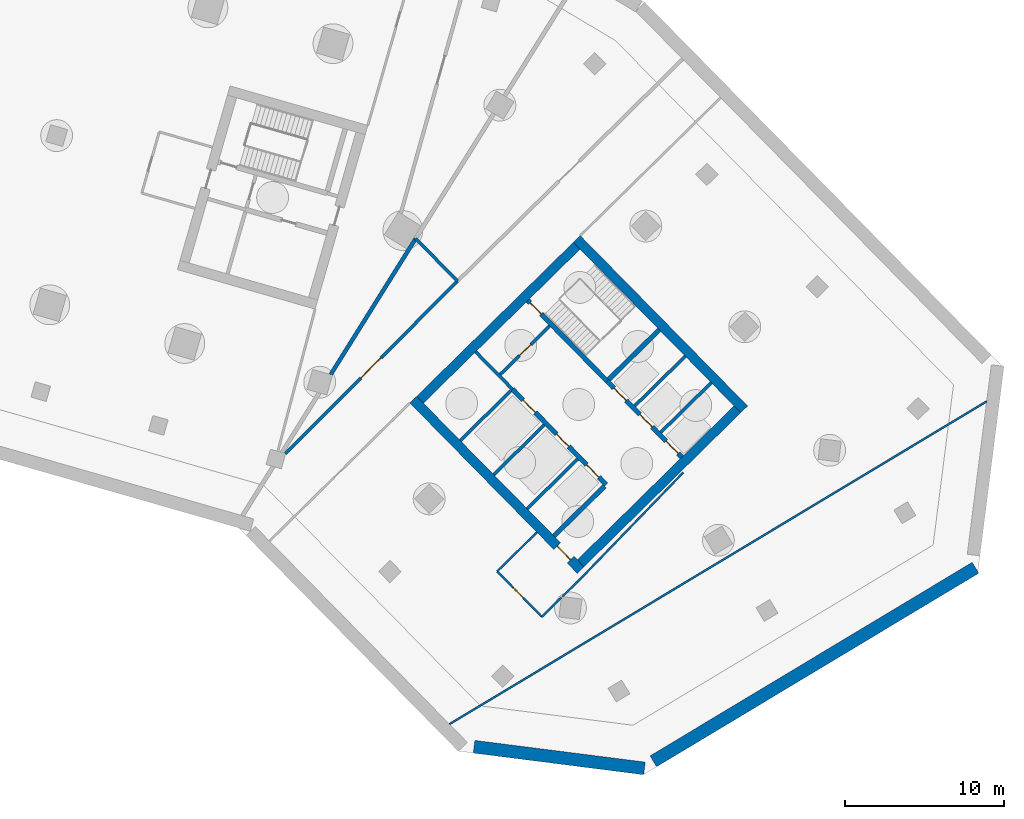
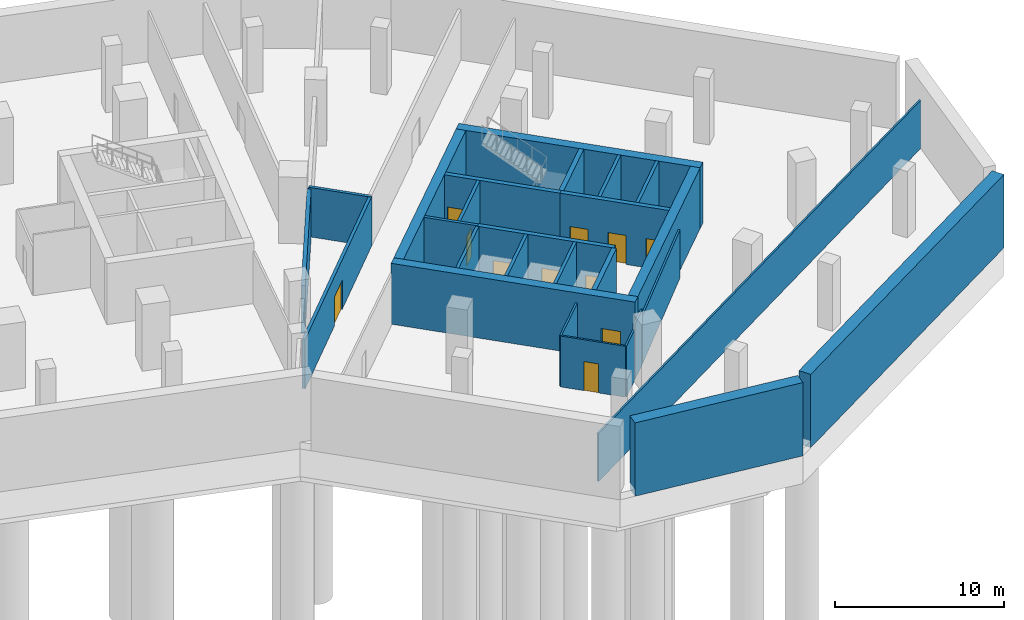
# One storey, part 6 of 11: 27 walls, 11 doors, 11 openings.
"""IFC4 building model written with IfcOpenShell, lengths in metres."""

from ifc_helpers import new_model, si_unit, direction, frame, frame_2d, origin, place, context, subcontext, project, spatial, rectangle, extrude, material, layer, layer_set, type_object, element, fill, save


model = new_model("IFC4")

# Units and contexts
model_context = context("Model", 3, precision=1e-05, world=origin(), true_north=direction((0.0, 1.0)))
body_context = subcontext(model_context, "Body", "Model", "MODEL_VIEW")
ifc_project = project(units=[si_unit("LENGTHUNIT", "METRE"), si_unit("AREAUNIT", "SQUARE_METRE"), si_unit("VOLUMEUNIT", "CUBIC_METRE"), si_unit("PLANEANGLEUNIT", "RADIAN"), si_unit("MASSUNIT", "GRAM", prefix="KILO")], contexts=[model_context])

# Site, building, storey
site_placement = place(None, origin())
site = spatial("IfcSite", under=ifc_project, at=site_placement, CompositionType="ELEMENT")
building_placement = place(site_placement, origin())
building = spatial("IfcBuilding", under=site, at=building_placement, Name="Binnacle Exchange Tower", CompositionType="ELEMENT")
storey_placement = place(building_placement, frame((0.0, 0.0, -9.60009765625)))
storey = spatial("IfcBuildingStorey", under=building, at=storey_placement, Name="B2", CompositionType="ELEMENT", Elevation=-9.60009765625)

# Walls
ifc_material_1 = material(Name="Concrete C40/50", Category="concrete")
ifc_layer_1 = layer(ifc_material_1, 0.800048828125)
ifc_layer_set_1 = layer_set([ifc_layer_1], Name="Basement retaining wall 800 Concrete C40/50")
wall_type_1 = type_object("IfcWallType", Name="Basement retaining wall 800 Concrete C40/50", PredefinedType="SOLIDWALL", material=ifc_layer_set_1)
wall_1_placement = place(storey_placement, frame((35.465576171875, 18.959228515625, -0.5), z_axis=(0.0, 0.0, 1.0), x_axis=(0.992004249918, -0.126204469587, 0.0)))
element("IfcWall", 1, at=wall_1_placement, inside=storey, type_object=wall_type_1, Name="S:RW:B2:11", PredefinedType="SOLIDWALL", context=body_context, shape_type="SweptSolid", body=[
    extrude(rectangle(XDim=10.78662109375, YDim=0.800048828125, at=frame_2d((5.393310546875, 0.0))), origin(), (0.0, 0.0, 1.0), 5.300048828125),
])
wall_2_placement = place(storey_placement, frame((46.724365234375, 18.041748046875, -0.5), z_axis=(0.0, 0.0, 1.0), x_axis=(0.857166937036, 0.515038680151, 0.0)))
element("IfcWall", 2, at=wall_2_placement, inside=storey, type_object=wall_type_1, Name="S:RW:B2:12", PredefinedType="SOLIDWALL", context=body_context, shape_type="SweptSolid", body=[
    extrude(rectangle(XDim=23.603515625, YDim=0.800048828125, at=frame_2d((11.8017578125, 0.0))), origin(), (0.0, 0.0, 1.0), 5.300048828125),
])

# Wall, openings, doors
ifc_material_2 = material(Name="Concrete C70/85", Category="concrete")
ifc_layer_2 = layer(ifc_material_2, 0.300048828125)
ifc_layer_set_2 = layer_set([ifc_layer_2], Name="Core wall - front 300")
wall_type_2 = type_object("IfcWallType", Name="Core wall - front 300", PredefinedType="SOLIDWALL", material=ifc_layer_set_2)
wall_3_placement = place(storey_placement, frame((37.8740234375, 41.41552734375, 0.0), z_axis=(0.0, 0.0, 1.0), x_axis=(0.700918271237, -0.71324159795, 0.0)))
wall_3 = element("IfcWall", 3, at=wall_3_placement, inside=storey, type_object=wall_type_2, Name="Core wall CRWB3", PredefinedType="SOLIDWALL", context=body_context, shape_type="SweptSolid", body=[
    extrude(rectangle(XDim=8.39990234375, YDim=0.300048828125, at=frame_2d((4.199951171875, 0.0))), origin(), (0.0, 0.0, 1.0), 4.400146484375),
])
opening_1_placement = place(wall_3_placement, frame((0.949951171875, 0.0, 0.0)))
opening_1 = element("IfcOpeningElement", 4, at=opening_1_placement, cuts=wall_3, Name="Opening LD15", PredefinedType="OPENING", context=body_context, shape_type="SweptSolid", body=[
    extrude(rectangle(XDim=1.10009765625, YDim=2.10009765625, at=frame_2d((0.550048828125, 1.050048828125))), frame((0.0, 0.159912109375, 0.0), z_axis=(0.0, -1.0, 0.0), x_axis=(1.0, 0.0, 0.0)), (0.0, 0.0, 1.0), 0.320068359375),
])
opening_2_placement = place(wall_3_placement, frame((3.949951171875, 0.0, 0.0)))
opening_2 = element("IfcOpeningElement", 5, at=opening_2_placement, cuts=wall_3, Name="Opening LD16", PredefinedType="OPENING", context=body_context, shape_type="SweptSolid", body=[
    extrude(rectangle(XDim=1.10009765625, YDim=2.10009765625, at=frame_2d((0.550048828125, 1.050048828125))), frame((0.0, 0.159912109375, 0.0), z_axis=(0.0, -1.0, 0.0), x_axis=(1.0, 0.0, 0.0)), (0.0, 0.0, 1.0), 0.320068359375),
])
opening_3_placement = place(wall_3_placement, frame((6.64990234375, 0.0, 0.0)))
opening_3 = element("IfcOpeningElement", 6, at=opening_3_placement, cuts=wall_3, Name="Opening LD4", PredefinedType="OPENING", context=body_context, shape_type="SweptSolid", body=[
    extrude(rectangle(XDim=1.10009765625, YDim=2.10009765625, at=frame_2d((0.550048828125, 1.050048828125))), frame((0.0, 0.159912109375, 0.0), z_axis=(0.0, -1.0, 0.0), x_axis=(1.0, 0.0, 0.0)), (0.0, 0.0, 1.0), 0.320068359375),
])
ifc_material_3 = material(Name="Steel door leaf", Category="steel")
door_type_1 = type_object("IfcDoorType", Name="Fire door - lift landing 1100", OperationType="NOTDEFINED", PredefinedType="DOOR", material=ifc_material_3)
door_1_placement = place(opening_1_placement, origin())
door_1 = element("IfcDoor", 7, at=door_1_placement, inside=storey, type_object=door_type_1, Name="Landing door LD15 B2", OperationType="DOUBLE_DOOR_SLIDING", OverallHeight=2.10009765625, OverallWidth=1.10009765625, PredefinedType="DOOR", context=body_context, shape_type="SweptSolid", body=[
    extrude(rectangle(XDim=1.10009765625, YDim=2.10009765625, at=frame_2d((0.550048828125, 1.050048828125))), frame((0.0, 0.02490234375, 0.0), z_axis=(0.0, -1.0, 0.0), x_axis=(1.0, 0.0, 0.0)), (0.0, 0.0, 1.0), 0.050048828125),
])
fill(opening_1, door_1)
door_2_placement = place(opening_2_placement, origin())
door_2 = element("IfcDoor", 8, at=door_2_placement, inside=storey, type_object=door_type_1, Name="Landing door LD16 B2", OperationType="DOUBLE_DOOR_SLIDING", OverallHeight=2.10009765625, OverallWidth=1.10009765625, PredefinedType="DOOR", context=body_context, shape_type="SweptSolid", body=[
    extrude(rectangle(XDim=1.10009765625, YDim=2.10009765625, at=frame_2d((0.550048828125, 1.050048828125))), frame((0.0, 0.02490234375, 0.0), z_axis=(0.0, -1.0, 0.0), x_axis=(1.0, 0.0, 0.0)), (0.0, 0.0, 1.0), 0.050048828125),
])
fill(opening_2, door_2)
door_3_placement = place(opening_3_placement, origin())
door_3 = element("IfcDoor", 9, at=door_3_placement, inside=storey, type_object=door_type_1, Name="Landing door LD4 B2", OperationType="DOUBLE_DOOR_SLIDING", OverallHeight=2.10009765625, OverallWidth=1.10009765625, PredefinedType="DOOR", context=body_context, shape_type="SweptSolid", body=[
    extrude(rectangle(XDim=1.10009765625, YDim=2.10009765625, at=frame_2d((0.550048828125, 1.050048828125))), frame((0.0, 0.02490234375, 0.0), z_axis=(0.0, -1.0, 0.0), x_axis=(1.0, 0.0, 0.0)), (0.0, 0.0, 1.0), 0.050048828125),
])
fill(opening_3, door_3)

wall_4_placement = place(storey_placement, frame((43.818603515625, 41.92919921875, 0.0), z_axis=(0.0, 0.0, 1.0), x_axis=(0.700921619155, -0.713238307862, 0.0)))
wall_4 = element("IfcWall", 10, at=wall_4_placement, inside=storey, type_object=wall_type_2, Name="Core wall CRWB5", PredefinedType="SOLIDWALL", context=body_context, shape_type="SweptSolid", body=[
    extrude(rectangle(XDim=6.69970703125, YDim=0.300048828125, at=frame_2d((3.349853515625, 0.0))), origin(), (0.0, 0.0, 1.0), 4.400146484375),
])
opening_4_placement = place(wall_4_placement, frame((0.614990234375, 0.0, 0.0)))
opening_4 = element("IfcOpeningElement", 11, at=opening_4_placement, cuts=wall_4, Name="Opening LD1", PredefinedType="OPENING", context=body_context, shape_type="SweptSolid", body=[
    extrude(rectangle(XDim=1.10009765625, YDim=2.10009765625, at=frame_2d((0.550048828125, 1.050048828125))), frame((0.0, 0.159912109375, 0.0), z_axis=(0.0, -1.0, 0.0), x_axis=(1.0, 0.0, 0.0)), (0.0, 0.0, 1.0), 0.320068359375),
])
opening_5_placement = place(wall_4_placement, frame((2.945068359375, 0.0, 0.0)))
opening_5 = element("IfcOpeningElement", 12, at=opening_5_placement, cuts=wall_4, Name="Opening LD2", PredefinedType="OPENING", context=body_context, shape_type="SweptSolid", body=[
    extrude(rectangle(XDim=1.10009765625, YDim=2.10009765625, at=frame_2d((0.550048828125, 1.050048828125))), frame((0.0, 0.159912109375, 0.0), z_axis=(0.0, -1.0, 0.0), x_axis=(1.0, 0.0, 0.0)), (0.0, 0.0, 1.0), 0.320068359375),
])
opening_6_placement = place(wall_4_placement, frame((5.280029296875, 0.0, 0.0)))
opening_6 = element("IfcOpeningElement", 13, at=opening_6_placement, cuts=wall_4, Name="Opening LD3", PredefinedType="OPENING", context=body_context, shape_type="SweptSolid", body=[
    extrude(rectangle(XDim=1.10009765625, YDim=2.10009765625, at=frame_2d((0.550048828125, 1.050048828125))), frame((0.0, 0.159912109375, 0.0), z_axis=(0.0, -1.0, 0.0), x_axis=(1.0, 0.0, 0.0)), (0.0, 0.0, 1.0), 0.320068359375),
])
door_4_placement = place(opening_4_placement, origin())
door_4 = element("IfcDoor", 14, at=door_4_placement, inside=storey, type_object=door_type_1, Name="Landing door LD1 B2", OperationType="DOUBLE_DOOR_SLIDING", OverallHeight=2.10009765625, OverallWidth=1.10009765625, PredefinedType="DOOR", context=body_context, shape_type="SweptSolid", body=[
    extrude(rectangle(XDim=1.10009765625, YDim=2.10009765625, at=frame_2d((0.550048828125, 1.050048828125))), frame((0.0, 0.02490234375, 0.0), z_axis=(0.0, -1.0, 0.0), x_axis=(1.0, 0.0, 0.0)), (0.0, 0.0, 1.0), 0.050048828125),
])
fill(opening_4, door_4)
door_5_placement = place(opening_5_placement, origin())
door_5 = element("IfcDoor", 15, at=door_5_placement, inside=storey, type_object=door_type_1, Name="Landing door LD2 B2", OperationType="DOUBLE_DOOR_SLIDING", OverallHeight=2.10009765625, OverallWidth=1.10009765625, PredefinedType="DOOR", context=body_context, shape_type="SweptSolid", body=[
    extrude(rectangle(XDim=1.10009765625, YDim=2.10009765625, at=frame_2d((0.550048828125, 1.050048828125))), frame((0.0, 0.02490234375, 0.0), z_axis=(0.0, -1.0, 0.0), x_axis=(1.0, 0.0, 0.0)), (0.0, 0.0, 1.0), 0.050048828125),
])
fill(opening_5, door_5)
door_6_placement = place(opening_6_placement, origin())
door_6 = element("IfcDoor", 16, at=door_6_placement, inside=storey, type_object=door_type_1, Name="Landing door LD3 B2", OperationType="DOUBLE_DOOR_SLIDING", OverallHeight=2.10009765625, OverallWidth=1.10009765625, PredefinedType="DOOR", context=body_context, shape_type="SweptSolid", body=[
    extrude(rectangle(XDim=1.10009765625, YDim=2.10009765625, at=frame_2d((0.550048828125, 1.050048828125))), frame((0.0, 0.02490234375, 0.0), z_axis=(0.0, -1.0, 0.0), x_axis=(1.0, 0.0, 0.0)), (0.0, 0.0, 1.0), 0.050048828125),
])
fill(opening_6, door_6)

# Wall
wall_5_placement = place(storey_placement, frame((40.480712890625, 32.199951171875, 0.0), z_axis=(0.0, 0.0, 1.0), x_axis=(0.713251741427, 0.700907949271, 0.0)))
element("IfcWall", 17, at=wall_5_placement, inside=storey, type_object=wall_type_2, Name="Core wall CRWB14", PredefinedType="SOLIDWALL", context=body_context, shape_type="SweptSolid", body=[
    extrude(rectangle(XDim=4.4501953125, YDim=0.300048828125, at=frame_2d((2.22509765625, 0.0))), origin(), (0.0, 0.0, 1.0), 4.400146484375),
])

# Wall, opening, door
ifc_layer_3 = layer(ifc_material_2, 0.60009765625)
ifc_layer_set_3 = layer_set([ifc_layer_3], Name="Core wall - outer 600")
wall_type_3 = type_object("IfcWallType", Name="Core wall - outer 600", PredefinedType="SOLIDWALL", material=ifc_layer_set_3)
wall_6_placement = place(storey_placement, frame((31.6455078125, 40.7626953125, 0.0), z_axis=(0.0, 0.0, 1.0), x_axis=(0.700911255944, -0.713248491965, 0.0)))
wall_6 = element("IfcWall", 18, at=wall_6_placement, inside=storey, type_object=wall_type_3, Name="Core wall CRWB1", PredefinedType="SOLIDWALL", context=body_context, shape_type="SweptSolid", body=[
    extrude(rectangle(XDim=15.0, YDim=0.60009765625, at=frame_2d((7.5, 0.0))), origin(), (0.0, 0.0, 1.0), 4.400146484375),
])
opening_7_placement = place(wall_6_placement, frame((12.89990234375, 0.0, 0.0)))
opening_7 = element("IfcOpeningElement", 19, at=opening_7_placement, cuts=wall_6, Name="Opening DB7", PredefinedType="OPENING", context=body_context, shape_type="SweptSolid", body=[
    extrude(rectangle(XDim=1.199951171875, YDim=2.10009765625, at=frame_2d((0.60009765625, 1.050048828125))), frame((0.0, 0.31005859375, 0.0), z_axis=(0.0, -1.0, 0.0), x_axis=(1.0, 0.0, 0.0)), (0.0, 0.0, 1.0), 0.6201171875),
])
door_type_2 = type_object("IfcDoorType", Name="Fire door 1200", OperationType="NOTDEFINED", PredefinedType="DOOR", material=ifc_material_3)
door_7_placement = place(opening_7_placement, frame((1.199951171875, 0.0, 0.0), z_axis=(0.0, 0.0, 1.0), x_axis=(-1.0, 0.0, 0.0)))
door_7 = element("IfcDoor", 20, at=door_7_placement, inside=storey, type_object=door_type_2, Name="Lift lobby entrance door core B", OperationType="SINGLE_SWING_LEFT", OverallHeight=2.10009765625, OverallWidth=1.199951171875, PredefinedType="DOOR", context=body_context, shape_type="SweptSolid", body=[
    extrude(rectangle(XDim=1.199951171875, YDim=2.10009765625, at=frame_2d((0.60009765625, 1.050048828125))), frame((0.0, 0.02490234375, 0.0), z_axis=(0.0, -1.0, 0.0), x_axis=(1.0, 0.0, 0.0)), (0.0, 0.0, 1.0), 0.050048828125),
])
fill(opening_7, door_7)

# Walls
wall_7_placement = place(storey_placement, frame((41.91650390625, 50.855712890625, 0.0), z_axis=(0.0, 0.0, 1.0), x_axis=(0.700911255944, -0.713248491965, 0.0)))
element("IfcWall", 21, at=wall_7_placement, inside=storey, type_object=wall_type_3, Name="Core wall CRWB6", PredefinedType="SOLIDWALL", context=body_context, shape_type="SweptSolid", body=[
    extrude(rectangle(XDim=15.0, YDim=0.60009765625, at=frame_2d((7.5, 0.0))), origin(), (0.0, 0.0, 1.0), 4.400146484375),
])
for number, where, z_axis, x_axis, name in (
    (22, (32.06982421875, 40.759033203125, 0.0), (0.0, 0.0, 1.0), (0.713245344712, 0.70091445858, 0.0), "Core wall CRWB7"),
    (23, (42.1630859375, 30.48828125, 0.0), (0.0, 0.0, 1.0), (0.713245344712, 0.70091445858, 0.0), "Core wall CRWB16"),
):
    element("IfcWall", number, at=place(storey_placement, frame(where, z_axis=z_axis, x_axis=x_axis)), inside=storey, type_object=wall_type_3, Name=name, PredefinedType="SOLIDWALL", context=body_context, shape_type="SweptSolid", body=[
        extrude(rectangle(XDim=13.800048828125, YDim=0.60009765625, at=frame_2d((6.89990234375, 0.0))), origin(), (0.0, 0.0, 1.0), 4.400146484375),
    ])

# Wall, opening, door
ifc_layer_4 = layer(ifc_material_2, 0.300048828125)
ifc_layer_set_4 = layer_set([ifc_layer_4], Name="Core wall - stair 300")
wall_type_4 = type_object("IfcWallType", Name="Core wall - stair 300", PredefinedType="SOLIDWALL", material=ifc_layer_set_4)
wall_8_placement = place(storey_placement, frame((38.842041015625, 46.993408203125, 0.0), z_axis=(0.0, 0.0, 1.0), x_axis=(0.700907701701, -0.713251984713, 0.0)))
wall_8 = element("IfcWall", 24, at=wall_8_placement, inside=storey, type_object=wall_type_4, Name="Core wall CRWB4", PredefinedType="SOLIDWALL", context=body_context, shape_type="SweptSolid", body=[
    extrude(rectangle(XDim=7.10009765625, YDim=0.300048828125, at=frame_2d((3.550048828125, 0.0))), origin(), (0.0, 0.0, 1.0), 4.400146484375),
])
opening_8_placement = place(wall_8_placement, frame((0.199951171875, 0.0, 0.0)))
opening_8 = element("IfcOpeningElement", 25, at=opening_8_placement, cuts=wall_8, Name="Opening DB1", PredefinedType="OPENING", context=body_context, shape_type="SweptSolid", body=[
    extrude(rectangle(XDim=1.0, YDim=2.10009765625, at=frame_2d((0.5, 1.050048828125))), frame((0.0, 0.159912109375, 0.0), z_axis=(0.0, -1.0, 0.0), x_axis=(1.0, 0.0, 0.0)), (0.0, 0.0, 1.0), 0.320068359375),
])
door_type_3 = type_object("IfcDoorType", Name="Fire door 1000", OperationType="NOTDEFINED", PredefinedType="DOOR", material=ifc_material_3)
door_8_placement = place(opening_8_placement, origin())
door_8 = element("IfcDoor", 26, at=door_8_placement, inside=storey, type_object=door_type_3, Name="Stair door ST-B1", OperationType="SINGLE_SWING_LEFT", OverallHeight=2.10009765625, OverallWidth=1.0, PredefinedType="DOOR", context=body_context, shape_type="SweptSolid", body=[
    extrude(rectangle(XDim=1.0, YDim=2.10009765625, at=frame_2d((0.5, 1.050048828125))), frame((0.0, 0.02490234375, 0.0), z_axis=(0.0, -1.0, 0.0), x_axis=(1.0, 0.0, 0.0)), (0.0, 0.0, 1.0), 0.050048828125),
])
fill(opening_8, door_8)

# Wall
wall_9_placement = place(storey_placement, frame((43.925537109375, 42.034423828125, 0.0), z_axis=(0.0, 0.0, 1.0), x_axis=(0.713251741427, 0.700907949271, 0.0)))
element("IfcWall", 27, at=wall_9_placement, inside=storey, type_object=wall_type_4, Name="Core wall CRWB11", PredefinedType="SOLIDWALL", context=body_context, shape_type="SweptSolid", body=[
    extrude(rectangle(XDim=4.4501953125, YDim=0.300048828125, at=frame_2d((2.22509765625, 0.0))), origin(), (0.0, 0.0, 1.0), 4.400146484375),
])

# Wall, opening, door
ifc_material_4 = material(Name="Masonry block wall", Category="masonry")
ifc_layer_5 = layer(ifc_material_4, 0.199951171875)
ifc_layer_set_5 = layer_set([ifc_layer_5], Name="Fire wall - block 200")
wall_type_5 = type_object("IfcWallType", Name="Fire wall - block 200", PredefinedType="PARTITIONING", material=ifc_layer_set_5)
wall_10_placement = place(storey_placement, frame((23.617919921875, 37.37890625, 0.0), z_axis=(0.0, 0.0, 1.0), x_axis=(0.706356332605, 0.707856434165, 0.0)))
wall_10 = element("IfcWall", 28, at=wall_10_placement, inside=storey, type_object=wall_type_5, Name="Partition W40", PredefinedType="PARTITIONING", context=body_context, shape_type="SweptSolid", body=[
    extrude(rectangle(XDim=15.29833984375, YDim=0.199951171875, at=frame_2d((7.649169921875, 0.0))), origin(), (0.0, 0.0, 1.0), 3.572021484375),
])
opening_9_placement = place(wall_10_placement, frame((6.699951171875, 0.0, 0.0)))
opening_9 = element("IfcOpeningElement", 29, at=opening_9_placement, cuts=wall_10, Name="Opening DB2-15", PredefinedType="OPENING", context=body_context, shape_type="SweptSolid", body=[
    extrude(rectangle(XDim=1.800048828125, YDim=2.10009765625, at=frame_2d((0.89990234375, 1.050048828125))), frame((0.0, 0.10986328125, 0.0), z_axis=(0.0, -1.0, 0.0), x_axis=(1.0, 0.0, 0.0)), (0.0, 0.0, 1.0), 0.219970703125),
])
door_type_4 = type_object("IfcDoorType", Name="Fire door 1800", OperationType="NOTDEFINED", PredefinedType="DOOR", material=ifc_material_3)
door_9_placement = place(opening_9_placement, origin())
door_9 = element("IfcDoor", 30, at=door_9_placement, inside=storey, type_object=door_type_4, Name="Door DB2-15", OperationType="DOUBLE_DOOR_SINGLE_SWING", OverallHeight=2.10009765625, OverallWidth=1.800048828125, PredefinedType="DOOR", context=body_context, shape_type="SweptSolid", body=[
    extrude(rectangle(XDim=1.800048828125, YDim=2.10009765625, at=frame_2d((0.89990234375, 1.050048828125))), frame((0.0, 0.02490234375, 0.0), z_axis=(0.0, -1.0, 0.0), x_axis=(1.0, 0.0, 0.0)), (0.0, 0.0, 1.0), 0.050048828125),
])
fill(opening_9, door_9)

# Walls
wall_11_placement = place(storey_placement, frame((31.794921875, 50.883056640625, 0.0), z_axis=(0.0, 0.0, 1.0), x_axis=(0.700961783082, -0.713198835289, 0.0)))
element("IfcWall", 31, at=wall_11_placement, inside=storey, type_object=wall_type_5, Name="Partition W44", PredefinedType="PARTITIONING", context=body_context, shape_type="SweptSolid", body=[
    extrude(rectangle(XDim=3.750732421875, YDim=0.199951171875, at=frame_2d((1.87548828125, 0.0))), origin(), (0.0, 0.0, 1.0), 3.572021484375),
])
ifc_material_5 = material(Name="Concrete fire wall C30/37", Category="concrete")
ifc_layer_6 = layer(ifc_material_5, 0.25)
ifc_layer_set_6 = layer_set([ifc_layer_6], Name="Fire wall - compartment 250")
wall_type_6 = type_object("IfcWallType", Name="Fire wall - compartment 250", PredefinedType="PARTITIONING", material=ifc_layer_set_6)
wall_12_placement = place(storey_placement, frame((26.4560546875, 42.337890625, 0.0), z_axis=(0.0, 0.0, 1.0), x_axis=(0.529866075757, 0.848081329686, 0.0)))
element("IfcWall", 32, at=wall_12_placement, inside=storey, type_object=wall_type_6, Name="Fire Wall W41", PredefinedType="PARTITIONING", context=body_context, shape_type="SweptSolid", body=[
    extrude(rectangle(XDim=10.075927734375, YDim=0.25, at=frame_2d((5.0380859375, 0.0))), origin(), (0.0, 0.0, 1.0), 3.462158203125),
])

# Wall, opening, door
ifc_layer_7 = layer(ifc_material_4, 0.199951171875)
ifc_layer_set_7 = layer_set([ifc_layer_7], Name="Fire wall - vestibule 200")
wall_type_7 = type_object("IfcWallType", Name="Fire wall - vestibule 200", PredefinedType="PARTITIONING", material=ifc_layer_set_7)
wall_13_placement = place(storey_placement, frame((37.104248046875, 42.341552734375, 0.0), z_axis=(0.0, 0.0, 1.0), x_axis=(0.713281298468, 0.700877870428, 0.0)))
wall_13 = element("IfcWall", 33, at=wall_13_placement, inside=storey, type_object=wall_type_7, Name="Core wall CRWB8", PredefinedType="PARTITIONING", context=body_context, shape_type="SweptSolid", body=[
    extrude(rectangle(XDim=4.35009765625, YDim=0.199951171875, at=frame_2d((2.175048828125, 0.0))), origin(), (0.0, 0.0, 1.0), 4.400146484375),
])
opening_10_placement = place(wall_13_placement, frame((1.699951171875, 0.0, 0.0)))
opening_10 = element("IfcOpeningElement", 34, at=opening_10_placement, cuts=wall_13, Name="Opening DB3", PredefinedType="OPENING", context=body_context, shape_type="SweptSolid", body=[
    extrude(rectangle(XDim=1.0, YDim=2.10009765625, at=frame_2d((0.5, 1.050048828125))), frame((0.0, 0.10986328125, 0.0), z_axis=(0.0, -1.0, 0.0), x_axis=(1.0, 0.0, 0.0)), (0.0, 0.0, 1.0), 0.219970703125),
])
door_10_placement = place(opening_10_placement, origin())
door_10 = element("IfcDoor", 35, at=door_10_placement, inside=storey, type_object=door_type_3, Name="Vestibule door VEST-W", OperationType="SINGLE_SWING_RIGHT", OverallHeight=2.10009765625, OverallWidth=1.0, PredefinedType="DOOR", context=body_context, shape_type="SweptSolid", body=[
    extrude(rectangle(XDim=1.0, YDim=2.10009765625, at=frame_2d((0.5, 1.050048828125))), frame((0.0, 0.02490234375, 0.0), z_axis=(0.0, -1.0, 0.0), x_axis=(1.0, 0.0, 0.0)), (0.0, 0.0, 1.0), 0.050048828125),
])
fill(opening_10, door_10)

# Walls
ifc_material_6 = material(Name="Gypsum partition")
ifc_layer_8 = layer(ifc_material_6, 0.125)
ifc_layer_set_8 = layer_set([ifc_layer_8], Name="Partition 125")
wall_type_8 = type_object("IfcWallType", Name="Partition 125", PredefinedType="PARTITIONING", material=ifc_layer_set_8)
wall_14_placement = place(storey_placement, frame((33.916015625, 20.3779296875, 0.0), z_axis=(0.0, 0.0, 1.0), x_axis=(0.857167223985, 0.515038202589, 0.0)))
element("IfcWall", 36, at=wall_14_placement, inside=storey, type_object=wall_type_8, Name="Partition W46", PredefinedType="PARTITIONING", context=body_context, shape_type="SweptSolid", body=[
    extrude(rectangle(XDim=39.373779296875, YDim=0.125, at=frame_2d((19.68701171875, 0.0))), origin(), (0.0, 0.0, 1.0), 3.47998046875),
])
wall_15_placement = place(storey_placement, frame((36.916015625, 29.97802734375, 0.0), z_axis=(0.0, 0.0, 1.0), x_axis=(0.713390873856, 0.700766338446, 0.0)))
element("IfcWall", 37, at=wall_15_placement, inside=storey, type_object=wall_type_8, Name="Partition W48", PredefinedType="PARTITIONING", context=body_context, shape_type="SweptSolid", body=[
    extrude(rectangle(XDim=3.500244140625, YDim=0.125, at=frame_2d((1.75, 0.0))), origin(), (0.0, 0.0, 1.0), 3.68017578125),
])

# Wall, opening, door
wall_16_placement = place(storey_placement, frame((36.916015625, 29.97802734375, 0.0), z_axis=(0.0, 0.0, 1.0), x_axis=(0.700946514588, -0.713213841486, 0.0)))
wall_16 = element("IfcWall", 38, at=wall_16_placement, inside=storey, type_object=wall_type_8, Name="Partition W49", PredefinedType="PARTITIONING", context=body_context, shape_type="SweptSolid", body=[
    extrude(rectangle(XDim=4.000244140625, YDim=0.125, at=frame_2d((2.0, 0.0))), origin(), (0.0, 0.0, 1.0), 3.68017578125),
])
opening_11_placement = place(wall_16_placement, frame((1.449951171875, 0.0, 0.0)))
opening_11 = element("IfcOpeningElement", 39, at=opening_11_placement, cuts=wall_16, Name="Opening DB2-12", PredefinedType="OPENING", context=body_context, shape_type="SweptSolid", body=[
    extrude(rectangle(XDim=0.89990234375, YDim=2.10009765625, at=frame_2d((0.449951171875, 1.050048828125))), frame((0.0, 0.072509765625, 0.0), z_axis=(0.0, -1.0, 0.0), x_axis=(1.0, 0.0, 0.0)), (0.0, 0.0, 1.0), 0.14501953125),
])
ifc_material_7 = material(Name="Timber door leaf", Category="wood")
door_type_5 = type_object("IfcDoorType", Name="Door 900", OperationType="NOTDEFINED", PredefinedType="DOOR", material=ifc_material_7)
door_11_placement = place(opening_11_placement, origin())
door_11 = element("IfcDoor", 40, at=door_11_placement, inside=storey, type_object=door_type_5, Name="Door DB2-12", OperationType="SINGLE_SWING_LEFT", OverallHeight=2.10009765625, OverallWidth=0.89990234375, PredefinedType="DOOR", context=body_context, shape_type="SweptSolid", body=[
    extrude(rectangle(XDim=0.89990234375, YDim=2.10009765625, at=frame_2d((0.449951171875, 1.050048828125))), frame((0.0, 0.02490234375, 0.0), z_axis=(0.0, -1.0, 0.0), x_axis=(1.0, 0.0, 0.0)), (0.0, 0.0, 1.0), 0.050048828125),
])
fill(opening_11, door_11)

# Walls
wall_17_placement = place(storey_placement, frame((39.719970703125, 27.125, 0.0), z_axis=(0.0, 0.0, 1.0), x_axis=(0.713177241148, 0.700983753526, 0.0)))
element("IfcWall", 41, at=wall_17_placement, inside=storey, type_object=wall_type_8, Name="Partition W51", PredefinedType="PARTITIONING", context=body_context, shape_type="SweptSolid", body=[
    extrude(rectangle(XDim=1.721923828125, YDim=0.125, at=frame_2d((0.86083984375, 0.0))), origin(), (0.0, 0.0, 1.0), 3.68017578125),
])
wall_18_placement = place(storey_placement, frame((41.011962890625, 28.39501953125, 0.0), z_axis=(0.0, 0.0, 1.0), x_axis=(0.713370682438, 0.700786893027, 0.0)))
element("IfcWall", 42, at=wall_18_placement, inside=storey, type_object=wall_type_8, Name="Partition W52", PredefinedType="PARTITIONING", context=body_context, shape_type="SweptSolid", body=[
    extrude(rectangle(XDim=1.68798828125, YDim=0.125, at=frame_2d((0.843994140625, 0.0))), origin(), (0.0, 0.0, 1.0), 3.97998046875),
])
wall_19_placement = place(storey_placement, frame((42.22998046875, 29.592041015625, 0.0), z_axis=(0.0, 0.0, 1.0), x_axis=(0.694947717254, 0.719060268882, 0.0)))
element("IfcWall", 43, at=wall_19_placement, inside=storey, type_object=wall_type_8, Name="Partition W54", PredefinedType="PARTITIONING", context=body_context, shape_type="SweptSolid", body=[
    extrude(rectangle(XDim=9.1630859375, YDim=0.125, at=frame_2d((4.58154296875, 0.0))), origin(), (0.0, 0.0, 1.0), 3.47998046875),
])
ifc_layer_9 = layer(ifc_material_4, 0.199951171875)
ifc_layer_set_9 = layer_set([ifc_layer_9], Name="Riser wall 200")
wall_type_9 = type_object("IfcWallType", Name="Riser wall 200", PredefinedType="SOLIDWALL", material=ifc_layer_set_9)
wall_20_placement = place(storey_placement, frame((35.56103515625, 43.769287109375, 0.0), z_axis=(0.0, 0.0, 1.0), x_axis=(0.70090232736, -0.713257266, 0.0)))
element("IfcWall", 44, at=wall_20_placement, inside=storey, type_object=wall_type_9, Name="Core wall CRWB2", PredefinedType="SOLIDWALL", context=body_context, shape_type="SweptSolid", body=[
    extrude(rectangle(XDim=3.300048828125, YDim=0.199951171875, at=frame_2d((1.64990234375, 0.0))), origin(), (0.0, 0.0, 1.0), 4.400146484375),
])
wall_21_placement = place(storey_placement, frame((34.59326171875, 38.19140625, 0.0), z_axis=(0.0, 0.0, 1.0), x_axis=(0.713252216116, 0.700907466222, 0.0)))
element("IfcWall", 45, at=wall_21_placement, inside=storey, type_object=wall_type_9, Name="Core wall CRWB9", PredefinedType="SOLIDWALL", context=body_context, shape_type="SweptSolid", body=[
    extrude(rectangle(XDim=4.44970703125, YDim=0.199951171875, at=frame_2d((2.224853515625, 0.0))), origin(), (0.0, 0.0, 1.0), 4.400146484375),
])
ifc_layer_10 = layer(ifc_material_4, 0.199951171875)
ifc_layer_set_10 = layer_set([ifc_layer_10], Name="Shaft wall 200")
wall_type_10 = type_object("IfcWallType", Name="Shaft wall 200", PredefinedType="SOLIDWALL", material=ifc_layer_set_10)
for number, where, z_axis, x_axis, name in (
    (46, (36.69580078125, 36.051513671875, 0.0), (0.0, 0.0, 1.0), (0.713251741427, 0.700907949271, 0.0), "Core wall CRWB10"),
    (47, (38.798583984375, 33.911865234375, 0.0), (0.0, 0.0, 1.0), (0.713251741427, 0.700907949271, 0.0), "Core wall CRWB12"),
    (48, (45.55859375, 40.37255859375, 0.0), (0.0, 0.0, 1.0), (0.713251741427, 0.700907949271, 0.0), "Core wall CRWB13"),
    (49, (47.191650390625, 38.710693359375, 0.0), (0.0, 0.0, 1.0), (0.713251741427, 0.700907949271, 0.0), "Core wall CRWB15"),
):
    element("IfcWall", number, at=place(storey_placement, frame(where, z_axis=z_axis, x_axis=x_axis)), inside=storey, type_object=wall_type_10, Name=name, PredefinedType="SOLIDWALL", context=body_context, shape_type="SweptSolid", body=[
        extrude(rectangle(XDim=4.4501953125, YDim=0.199951171875, at=frame_2d((2.22509765625, 0.0))), origin(), (0.0, 0.0, 1.0), 4.400146484375),
    ])

save(model, "model.ifc")
